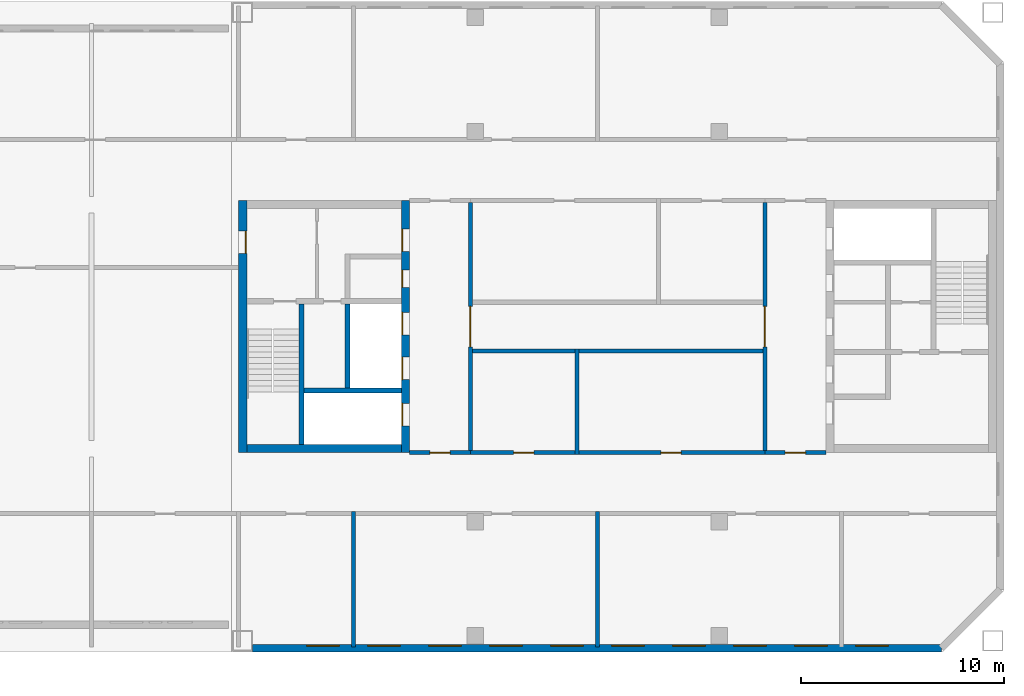
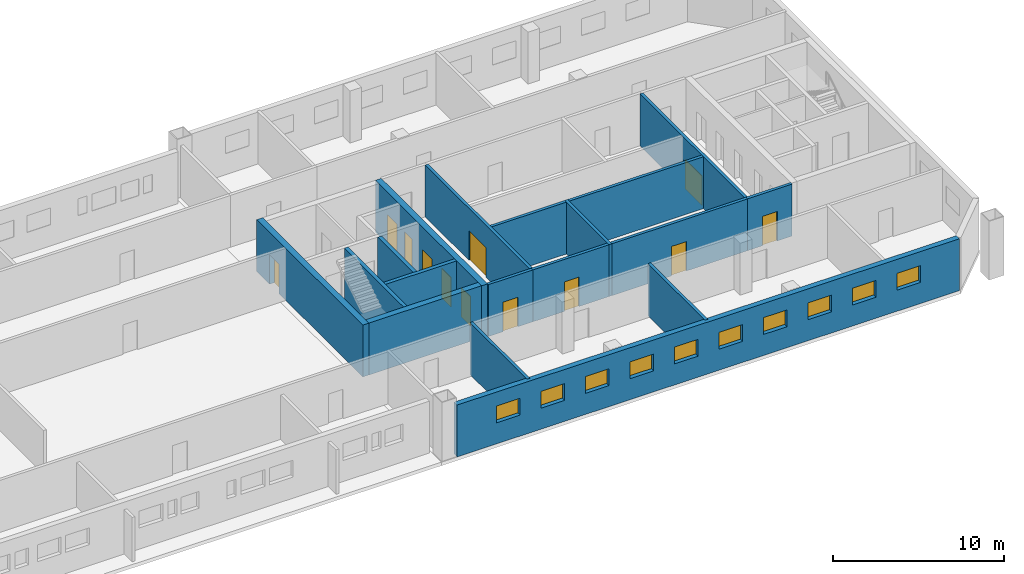
# One storey, part 9 of 13: 16 walls, 12 doors, 10 windows, 22 openings.
"""IFC4 building model written with IfcOpenShell, lengths in metres."""

from ifc_helpers import new_model, si_unit, direction, frame, frame_2d, origin, place, context, subcontext, project, spatial, rectangle, extrude, material, layer, layer_set, type_object, element, fill, save


model = new_model("IFC4")

# Units and contexts
model_context = context("Model", 3, precision=1e-05, world=origin(), true_north=direction((0.0, 1.0)))
body_context = subcontext(model_context, "Body", "Model", "MODEL_VIEW")
ifc_project = project(units=[si_unit("LENGTHUNIT", "METRE"), si_unit("AREAUNIT", "SQUARE_METRE"), si_unit("VOLUMEUNIT", "CUBIC_METRE"), si_unit("PLANEANGLEUNIT", "RADIAN"), si_unit("MASSUNIT", "GRAM", prefix="KILO")], contexts=[model_context])

# Site, building, storey
site_placement = place(None, origin())
site = spatial("IfcSite", under=ifc_project, at=site_placement, CompositionType="ELEMENT")
building_placement = place(site_placement, origin())
building = spatial("IfcBuilding", under=site, at=building_placement, Name="Tuart Gate Housing", CompositionType="ELEMENT")
storey_placement = place(building_placement, frame((0.0, 0.0, 198.60009765625)))
storey = spatial("IfcBuildingStorey", under=building, at=storey_placement, Name="L56", CompositionType="ELEMENT", Elevation=198.60009765625)

# Wall, openings, windows
ifc_material_1 = material(Name="Brick", Category="masonry")
ifc_layer_1 = layer(ifc_material_1, 0.360107421875)
ifc_layer_set_1 = layer_set([ifc_layer_1], Name="Brick pier and spandrel wall 360")
wall_type_1 = type_object("IfcWallType", Name="Brick pier and spandrel wall 360", PredefinedType="STANDARD", material=ifc_layer_set_1)
wall_1_placement = place(storey_placement, frame((132.050048828125, 54.179931640625, 0.0), z_axis=(0.0, 0.0, 1.0), x_axis=(1.0, 0.0, 0.0)))
wall_1 = element("IfcWall", 1, at=wall_1_placement, inside=storey, type_object=wall_type_1, Name="External wall BLK-S L56", PredefinedType="STANDARD", context=body_context, shape_type="SweptSolid", body=[
    extrude(rectangle(XDim=33.87548828125, YDim=0.360107421875, at=frame_2d((16.937744140625, 0.0))), origin(), (0.0, 0.0, 1.0), 3.699951171875),
])
opening_1_placement = place(wall_1_placement, frame((2.64990234375, 0.0, 1.5)))
opening_1 = element("IfcOpeningElement", 2, at=opening_1_placement, cuts=wall_1, Name="Opening W3", PredefinedType="OPENING", context=body_context, shape_type="SweptSolid", body=[
    extrude(rectangle(XDim=1.60009765625, YDim=1.199951171875, at=frame_2d((0.800048828125, 0.60009765625))), frame((0.0, 0.18994140625, 0.0), z_axis=(0.0, -1.0, 0.0), x_axis=(1.0, 0.0, 0.0)), (0.0, 0.0, 1.0), 0.380126953125),
])
opening_2_placement = place(wall_1_placement, frame((5.64990234375, 0.0, 1.5)))
opening_2 = element("IfcOpeningElement", 3, at=opening_2_placement, cuts=wall_1, Name="Opening W3", PredefinedType="OPENING", context=body_context, shape_type="SweptSolid", body=[
    extrude(rectangle(XDim=1.60009765625, YDim=1.199951171875, at=frame_2d((0.800048828125, 0.60009765625))), frame((0.0, 0.18994140625, 0.0), z_axis=(0.0, -1.0, 0.0), x_axis=(1.0, 0.0, 0.0)), (0.0, 0.0, 1.0), 0.380126953125),
])
opening_3_placement = place(wall_1_placement, frame((8.64990234375, 0.0, 1.5)))
opening_3 = element("IfcOpeningElement", 4, at=opening_3_placement, cuts=wall_1, Name="Opening W3", PredefinedType="OPENING", context=body_context, shape_type="SweptSolid", body=[
    extrude(rectangle(XDim=1.60009765625, YDim=1.199951171875, at=frame_2d((0.800048828125, 0.60009765625))), frame((0.0, 0.18994140625, 0.0), z_axis=(0.0, -1.0, 0.0), x_axis=(1.0, 0.0, 0.0)), (0.0, 0.0, 1.0), 0.380126953125),
])
opening_4_placement = place(wall_1_placement, frame((11.64990234375, 0.0, 1.5)))
opening_4 = element("IfcOpeningElement", 5, at=opening_4_placement, cuts=wall_1, Name="Opening W3", PredefinedType="OPENING", context=body_context, shape_type="SweptSolid", body=[
    extrude(rectangle(XDim=1.60009765625, YDim=1.199951171875, at=frame_2d((0.800048828125, 0.60009765625))), frame((0.0, 0.18994140625, 0.0), z_axis=(0.0, -1.0, 0.0), x_axis=(1.0, 0.0, 0.0)), (0.0, 0.0, 1.0), 0.380126953125),
])
opening_5_placement = place(wall_1_placement, frame((14.64990234375, 0.0, 1.5)))
opening_5 = element("IfcOpeningElement", 6, at=opening_5_placement, cuts=wall_1, Name="Opening W3", PredefinedType="OPENING", context=body_context, shape_type="SweptSolid", body=[
    extrude(rectangle(XDim=1.60009765625, YDim=1.199951171875, at=frame_2d((0.800048828125, 0.60009765625))), frame((0.0, 0.18994140625, 0.0), z_axis=(0.0, -1.0, 0.0), x_axis=(1.0, 0.0, 0.0)), (0.0, 0.0, 1.0), 0.380126953125),
])
opening_6_placement = place(wall_1_placement, frame((17.64990234375, 0.0, 1.5)))
opening_6 = element("IfcOpeningElement", 7, at=opening_6_placement, cuts=wall_1, Name="Opening W3", PredefinedType="OPENING", context=body_context, shape_type="SweptSolid", body=[
    extrude(rectangle(XDim=1.60009765625, YDim=1.199951171875, at=frame_2d((0.800048828125, 0.60009765625))), frame((0.0, 0.18994140625, 0.0), z_axis=(0.0, -1.0, 0.0), x_axis=(1.0, 0.0, 0.0)), (0.0, 0.0, 1.0), 0.380126953125),
])
opening_7_placement = place(wall_1_placement, frame((20.64990234375, 0.0, 1.5)))
opening_7 = element("IfcOpeningElement", 8, at=opening_7_placement, cuts=wall_1, Name="Opening W3", PredefinedType="OPENING", context=body_context, shape_type="SweptSolid", body=[
    extrude(rectangle(XDim=1.60009765625, YDim=1.199951171875, at=frame_2d((0.800048828125, 0.60009765625))), frame((0.0, 0.18994140625, 0.0), z_axis=(0.0, -1.0, 0.0), x_axis=(1.0, 0.0, 0.0)), (0.0, 0.0, 1.0), 0.380126953125),
])
opening_8_placement = place(wall_1_placement, frame((23.64990234375, 0.0, 1.5)))
opening_8 = element("IfcOpeningElement", 9, at=opening_8_placement, cuts=wall_1, Name="Opening W3", PredefinedType="OPENING", context=body_context, shape_type="SweptSolid", body=[
    extrude(rectangle(XDim=1.60009765625, YDim=1.199951171875, at=frame_2d((0.800048828125, 0.60009765625))), frame((0.0, 0.18994140625, 0.0), z_axis=(0.0, -1.0, 0.0), x_axis=(1.0, 0.0, 0.0)), (0.0, 0.0, 1.0), 0.380126953125),
])
opening_9_placement = place(wall_1_placement, frame((26.64990234375, 0.0, 1.5)))
opening_9 = element("IfcOpeningElement", 10, at=opening_9_placement, cuts=wall_1, Name="Opening W3", PredefinedType="OPENING", context=body_context, shape_type="SweptSolid", body=[
    extrude(rectangle(XDim=1.60009765625, YDim=1.199951171875, at=frame_2d((0.800048828125, 0.60009765625))), frame((0.0, 0.18994140625, 0.0), z_axis=(0.0, -1.0, 0.0), x_axis=(1.0, 0.0, 0.0)), (0.0, 0.0, 1.0), 0.380126953125),
])
opening_10_placement = place(wall_1_placement, frame((29.64990234375, 0.0, 1.5)))
opening_10 = element("IfcOpeningElement", 11, at=opening_10_placement, cuts=wall_1, Name="Opening W3", PredefinedType="OPENING", context=body_context, shape_type="SweptSolid", body=[
    extrude(rectangle(XDim=1.60009765625, YDim=1.199951171875, at=frame_2d((0.800048828125, 0.60009765625))), frame((0.0, 0.18994140625, 0.0), z_axis=(0.0, -1.0, 0.0), x_axis=(1.0, 0.0, 0.0)), (0.0, 0.0, 1.0), 0.380126953125),
])
ifc_material_2 = material(Name="Aluminium louvre blades", Category="aluminium")
window_type = type_object("IfcWindowType", Name="Louvre window 1600 x 1200", PartitioningType="DOUBLE_PANEL_HORIZONTAL", PredefinedType="WINDOW", material=ifc_material_2)
window_1_placement = place(opening_1_placement, origin())
window_1 = element("IfcWindow", 12, at=window_1_placement, inside=storey, type_object=window_type, Name="Louvre W3", OverallHeight=1.199951171875, OverallWidth=1.60009765625, PartitioningType="DOUBLE_PANEL_HORIZONTAL", PredefinedType="WINDOW", context=body_context, shape_type="SweptSolid", body=[
    extrude(rectangle(XDim=1.60009765625, YDim=1.199951171875, at=frame_2d((0.800048828125, 0.60009765625))), frame((0.0, 0.150146484375, 0.0), z_axis=(0.0, -1.0, 0.0), x_axis=(1.0, 0.0, 0.0)), (0.0, 0.0, 1.0), 0.06005859375),
])
fill(opening_1, window_1)
window_2_placement = place(opening_2_placement, origin())
window_2 = element("IfcWindow", 13, at=window_2_placement, inside=storey, type_object=window_type, Name="Louvre W3", OverallHeight=1.199951171875, OverallWidth=1.60009765625, PartitioningType="DOUBLE_PANEL_HORIZONTAL", PredefinedType="WINDOW", context=body_context, shape_type="SweptSolid", body=[
    extrude(rectangle(XDim=1.60009765625, YDim=1.199951171875, at=frame_2d((0.800048828125, 0.60009765625))), frame((0.0, 0.150146484375, 0.0), z_axis=(0.0, -1.0, 0.0), x_axis=(1.0, 0.0, 0.0)), (0.0, 0.0, 1.0), 0.06005859375),
])
fill(opening_2, window_2)
window_3_placement = place(opening_3_placement, origin())
window_3 = element("IfcWindow", 14, at=window_3_placement, inside=storey, type_object=window_type, Name="Louvre W3", OverallHeight=1.199951171875, OverallWidth=1.60009765625, PartitioningType="DOUBLE_PANEL_HORIZONTAL", PredefinedType="WINDOW", context=body_context, shape_type="SweptSolid", body=[
    extrude(rectangle(XDim=1.60009765625, YDim=1.199951171875, at=frame_2d((0.800048828125, 0.60009765625))), frame((0.0, 0.150146484375, 0.0), z_axis=(0.0, -1.0, 0.0), x_axis=(1.0, 0.0, 0.0)), (0.0, 0.0, 1.0), 0.06005859375),
])
fill(opening_3, window_3)
window_4_placement = place(opening_4_placement, origin())
window_4 = element("IfcWindow", 15, at=window_4_placement, inside=storey, type_object=window_type, Name="Louvre W3", OverallHeight=1.199951171875, OverallWidth=1.60009765625, PartitioningType="DOUBLE_PANEL_HORIZONTAL", PredefinedType="WINDOW", context=body_context, shape_type="SweptSolid", body=[
    extrude(rectangle(XDim=1.60009765625, YDim=1.199951171875, at=frame_2d((0.800048828125, 0.60009765625))), frame((0.0, 0.150146484375, 0.0), z_axis=(0.0, -1.0, 0.0), x_axis=(1.0, 0.0, 0.0)), (0.0, 0.0, 1.0), 0.06005859375),
])
fill(opening_4, window_4)
window_5_placement = place(opening_5_placement, origin())
window_5 = element("IfcWindow", 16, at=window_5_placement, inside=storey, type_object=window_type, Name="Louvre W3", OverallHeight=1.199951171875, OverallWidth=1.60009765625, PartitioningType="DOUBLE_PANEL_HORIZONTAL", PredefinedType="WINDOW", context=body_context, shape_type="SweptSolid", body=[
    extrude(rectangle(XDim=1.60009765625, YDim=1.199951171875, at=frame_2d((0.800048828125, 0.60009765625))), frame((0.0, 0.150146484375, 0.0), z_axis=(0.0, -1.0, 0.0), x_axis=(1.0, 0.0, 0.0)), (0.0, 0.0, 1.0), 0.06005859375),
])
fill(opening_5, window_5)
window_6_placement = place(opening_6_placement, origin())
window_6 = element("IfcWindow", 17, at=window_6_placement, inside=storey, type_object=window_type, Name="Louvre W3", OverallHeight=1.199951171875, OverallWidth=1.60009765625, PartitioningType="DOUBLE_PANEL_HORIZONTAL", PredefinedType="WINDOW", context=body_context, shape_type="SweptSolid", body=[
    extrude(rectangle(XDim=1.60009765625, YDim=1.199951171875, at=frame_2d((0.800048828125, 0.60009765625))), frame((0.0, 0.150146484375, 0.0), z_axis=(0.0, -1.0, 0.0), x_axis=(1.0, 0.0, 0.0)), (0.0, 0.0, 1.0), 0.06005859375),
])
fill(opening_6, window_6)
window_7_placement = place(opening_7_placement, origin())
window_7 = element("IfcWindow", 18, at=window_7_placement, inside=storey, type_object=window_type, Name="Louvre W3", OverallHeight=1.199951171875, OverallWidth=1.60009765625, PartitioningType="DOUBLE_PANEL_HORIZONTAL", PredefinedType="WINDOW", context=body_context, shape_type="SweptSolid", body=[
    extrude(rectangle(XDim=1.60009765625, YDim=1.199951171875, at=frame_2d((0.800048828125, 0.60009765625))), frame((0.0, 0.150146484375, 0.0), z_axis=(0.0, -1.0, 0.0), x_axis=(1.0, 0.0, 0.0)), (0.0, 0.0, 1.0), 0.06005859375),
])
fill(opening_7, window_7)
window_8_placement = place(opening_8_placement, origin())
window_8 = element("IfcWindow", 19, at=window_8_placement, inside=storey, type_object=window_type, Name="Louvre W3", OverallHeight=1.199951171875, OverallWidth=1.60009765625, PartitioningType="DOUBLE_PANEL_HORIZONTAL", PredefinedType="WINDOW", context=body_context, shape_type="SweptSolid", body=[
    extrude(rectangle(XDim=1.60009765625, YDim=1.199951171875, at=frame_2d((0.800048828125, 0.60009765625))), frame((0.0, 0.150146484375, 0.0), z_axis=(0.0, -1.0, 0.0), x_axis=(1.0, 0.0, 0.0)), (0.0, 0.0, 1.0), 0.06005859375),
])
fill(opening_8, window_8)
window_9_placement = place(opening_9_placement, origin())
window_9 = element("IfcWindow", 20, at=window_9_placement, inside=storey, type_object=window_type, Name="Louvre W3", OverallHeight=1.199951171875, OverallWidth=1.60009765625, PartitioningType="DOUBLE_PANEL_HORIZONTAL", PredefinedType="WINDOW", context=body_context, shape_type="SweptSolid", body=[
    extrude(rectangle(XDim=1.60009765625, YDim=1.199951171875, at=frame_2d((0.800048828125, 0.60009765625))), frame((0.0, 0.150146484375, 0.0), z_axis=(0.0, -1.0, 0.0), x_axis=(1.0, 0.0, 0.0)), (0.0, 0.0, 1.0), 0.06005859375),
])
fill(opening_9, window_9)
window_10_placement = place(opening_10_placement, origin())
window_10 = element("IfcWindow", 21, at=window_10_placement, inside=storey, type_object=window_type, Name="Louvre W3", OverallHeight=1.199951171875, OverallWidth=1.60009765625, PartitioningType="DOUBLE_PANEL_HORIZONTAL", PredefinedType="WINDOW", context=body_context, shape_type="SweptSolid", body=[
    extrude(rectangle(XDim=1.60009765625, YDim=1.199951171875, at=frame_2d((0.800048828125, 0.60009765625))), frame((0.0, 0.150146484375, 0.0), z_axis=(0.0, -1.0, 0.0), x_axis=(1.0, 0.0, 0.0)), (0.0, 0.0, 1.0), 0.06005859375),
])
fill(opening_10, window_10)

# Walls
ifc_material_3 = material(Name="Concrete C40", Category="concrete")
ifc_layer_2 = layer(ifc_material_3, 0.25)
ifc_layer_set_2 = layer_set([ifc_layer_2], Name="Core wall 250 C40")
wall_type_2 = type_object("IfcWallType", Name="Core wall 250 C40", PredefinedType="SHEAR", material=ifc_layer_set_2)
wall_2_placement = place(storey_placement, frame((139.360107421875, 66.85009765625, 0.0), z_axis=(0.0, 0.0, 1.0), x_axis=(-1.0, 0.0, 0.0)))
element("IfcWall", 22, at=wall_2_placement, inside=storey, type_object=wall_type_2, Name="Core wall BG.1", PredefinedType="SHEAR", context=body_context, shape_type="SweptSolid", body=[
    extrude(rectangle(XDim=4.775146484375, YDim=0.25, at=frame_2d((2.3876953125, 0.0))), origin(), (0.0, 0.0, 1.0), 3.699951171875),
])
wall_3_placement = place(storey_placement, frame((136.7099609375, 66.97509765625, 0.0), z_axis=(0.0, 0.0, 1.0), x_axis=(0.0, 1.0, 0.0)))
element("IfcWall", 23, at=wall_3_placement, inside=storey, type_object=wall_type_2, Name="Core wall BG.4", PredefinedType="SHEAR", context=body_context, shape_type="SweptSolid", body=[
    extrude(rectangle(XDim=4.14990234375, YDim=0.25, at=frame_2d((2.074951171875, 0.0))), origin(), (0.0, 0.0, 1.0), 3.699951171875),
])
wall_4_placement = place(storey_placement, frame((134.4599609375, 64.199951171875, 0.0), z_axis=(0.0, 0.0, 1.0), x_axis=(0.0, 1.0, 0.0)))
element("IfcWall", 24, at=wall_4_placement, inside=storey, type_object=wall_type_2, Name="Core wall BG.7", PredefinedType="SHEAR", context=body_context, shape_type="SweptSolid", body=[
    extrude(rectangle(XDim=6.925048828125, YDim=0.25, at=frame_2d((3.46240234375, 0.0))), origin(), (0.0, 0.0, 1.0), 3.699951171875),
])

# Wall, openings, doors
ifc_material_4 = material(Name="Concrete C40", Category="concrete")
ifc_layer_3 = layer(ifc_material_4, 0.39990234375)
ifc_layer_set_3 = layer_set([ifc_layer_3], Name="Core wall 400 C40")
wall_type_3 = type_object("IfcWallType", Name="Core wall 400 C40", PredefinedType="SHEAR", material=ifc_layer_set_3)
wall_5_placement = place(storey_placement, frame((139.56005859375, 63.800048828125, 0.0), z_axis=(0.0, 0.0, 1.0), x_axis=(0.0, 1.0, 0.0)))
wall_5 = element("IfcWall", 25, at=wall_5_placement, inside=storey, type_object=wall_type_3, Name="Core wall BG front", PredefinedType="SHEAR", context=body_context, shape_type="SweptSolid", body=[
    extrude(rectangle(XDim=12.39990234375, YDim=0.39990234375, at=frame_2d((6.199951171875, 0.0))), origin(), (0.0, 0.0, 1.0), 3.699951171875),
])
opening_11_placement = place(wall_5_placement, frame((1.324951171875, 0.0, 0.0)))
opening_11 = element("IfcOpeningElement", 26, at=opening_11_placement, cuts=wall_5, Name="Opening LD-FB1", PredefinedType="OPENING", context=body_context, shape_type="SweptSolid", body=[
    extrude(rectangle(XDim=1.10009765625, YDim=2.10009765625, at=frame_2d((0.550048828125, 1.050048828125))), frame((0.0, 0.2099609375, 0.0), z_axis=(0.0, -1.0, 0.0), x_axis=(1.0, 0.0, 0.0)), (0.0, 0.0, 1.0), 0.419921875),
])
opening_12_placement = place(wall_5_placement, frame((3.60009765625, 0.0, 0.0)))
opening_12 = element("IfcOpeningElement", 27, at=opening_12_placement, cuts=wall_5, Name="Opening LD-LB1", PredefinedType="OPENING", context=body_context, shape_type="SweptSolid", body=[
    extrude(rectangle(XDim=1.10009765625, YDim=2.10009765625, at=frame_2d((0.550048828125, 1.050048828125))), frame((0.0, 0.2099609375, 0.0), z_axis=(0.0, -1.0, 0.0), x_axis=(1.0, 0.0, 0.0)), (0.0, 0.0, 1.0), 0.419921875),
])
opening_13_placement = place(wall_5_placement, frame((5.800048828125, 0.0, 0.0)))
opening_13 = element("IfcOpeningElement", 28, at=opening_13_placement, cuts=wall_5, Name="Opening LD-LB2", PredefinedType="OPENING", context=body_context, shape_type="SweptSolid", body=[
    extrude(rectangle(XDim=1.10009765625, YDim=2.10009765625, at=frame_2d((0.550048828125, 1.050048828125))), frame((0.0, 0.2099609375, 0.0), z_axis=(0.0, -1.0, 0.0), x_axis=(1.0, 0.0, 0.0)), (0.0, 0.0, 1.0), 0.419921875),
])
opening_14_placement = place(wall_5_placement, frame((9.89990234375, 0.0, 0.0)))
opening_14 = element("IfcOpeningElement", 29, at=opening_14_placement, cuts=wall_5, Name="Opening D3622", PredefinedType="OPENING", context=body_context, shape_type="SweptSolid", body=[
    extrude(rectangle(XDim=1.10009765625, YDim=2.10009765625, at=frame_2d((0.550048828125, 1.050048828125))), frame((0.0, 0.2099609375, 0.0), z_axis=(0.0, -1.0, 0.0), x_axis=(1.0, 0.0, 0.0)), (0.0, 0.0, 1.0), 0.419921875),
])
opening_15_placement = place(wall_5_placement, frame((8.125, 0.0, 0.0)))
opening_15 = element("IfcOpeningElement", 30, at=opening_15_placement, cuts=wall_5, Name="Opening D3623", PredefinedType="OPENING", context=body_context, shape_type="SweptSolid", body=[
    extrude(rectangle(XDim=0.85009765625, YDim=2.10009765625, at=frame_2d((0.425048828125, 1.050048828125))), frame((0.0, 0.2099609375, 0.0), z_axis=(0.0, -1.0, 0.0), x_axis=(1.0, 0.0, 0.0)), (0.0, 0.0, 1.0), 0.419921875),
])
ifc_material_5 = material(Name="Stainless steel", Category="steel")
door_type_1 = type_object("IfcDoorType", Name="Landing door 1100 x 2100", OperationType="DOUBLE_DOOR_SLIDING", PredefinedType="DOOR", material=ifc_material_5)
door_1_placement = place(opening_11_placement, origin())
door_1 = element("IfcDoor", 31, at=door_1_placement, inside=storey, type_object=door_type_1, Name="Lift landing door FB1", OperationType="DOUBLE_DOOR_SLIDING", OverallHeight=2.10009765625, OverallWidth=1.10009765625, PredefinedType="DOOR", context=body_context, shape_type="SweptSolid", body=[
    extrude(rectangle(XDim=1.10009765625, YDim=2.10009765625, at=frame_2d((0.550048828125, 1.050048828125))), frame((0.0, 0.18505859375, 0.0), z_axis=(0.0, -1.0, 0.0), x_axis=(1.0, 0.0, 0.0)), (0.0, 0.0, 1.0), 0.050048828125),
])
fill(opening_11, door_1)
door_2_placement = place(opening_12_placement, origin())
door_2 = element("IfcDoor", 32, at=door_2_placement, inside=storey, type_object=door_type_1, Name="Lift landing door LB1", OperationType="DOUBLE_DOOR_SLIDING", OverallHeight=2.10009765625, OverallWidth=1.10009765625, PredefinedType="DOOR", context=body_context, shape_type="SweptSolid", body=[
    extrude(rectangle(XDim=1.10009765625, YDim=2.10009765625, at=frame_2d((0.550048828125, 1.050048828125))), frame((0.0, 0.18505859375, 0.0), z_axis=(0.0, -1.0, 0.0), x_axis=(1.0, 0.0, 0.0)), (0.0, 0.0, 1.0), 0.050048828125),
])
fill(opening_12, door_2)
door_3_placement = place(opening_13_placement, origin())
door_3 = element("IfcDoor", 33, at=door_3_placement, inside=storey, type_object=door_type_1, Name="Lift landing door LB2", OperationType="DOUBLE_DOOR_SLIDING", OverallHeight=2.10009765625, OverallWidth=1.10009765625, PredefinedType="DOOR", context=body_context, shape_type="SweptSolid", body=[
    extrude(rectangle(XDim=1.10009765625, YDim=2.10009765625, at=frame_2d((0.550048828125, 1.050048828125))), frame((0.0, 0.18505859375, 0.0), z_axis=(0.0, -1.0, 0.0), x_axis=(1.0, 0.0, 0.0)), (0.0, 0.0, 1.0), 0.050048828125),
])
fill(opening_13, door_3)
ifc_material_6 = material(Name="Steel fire door", Category="steel")
door_type_2 = type_object("IfcDoorType", Name="Lobby door 1100 x 2100", OperationType="SINGLE_SWING_LEFT", PredefinedType="DOOR", material=ifc_material_6)
door_4_placement = place(opening_14_placement, origin())
door_4 = element("IfcDoor", 34, at=door_4_placement, inside=storey, type_object=door_type_2, Name="Lobby entry door BG.EN", OperationType="SINGLE_SWING_LEFT", OverallHeight=2.10009765625, OverallWidth=1.10009765625, PredefinedType="DOOR", context=body_context, shape_type="SweptSolid", body=[
    extrude(rectangle(XDim=1.10009765625, YDim=2.10009765625, at=frame_2d((0.550048828125, 1.050048828125))), frame((0.0, 0.18505859375, 0.0), z_axis=(0.0, -1.0, 0.0), x_axis=(1.0, 0.0, 0.0)), (0.0, 0.0, 1.0), 0.050048828125),
])
fill(opening_14, door_4)
ifc_material_7 = material(Name="Steel fire door", Category="steel")
door_type_3 = type_object("IfcDoorType", Name="Service door 850 x 2100", OperationType="SINGLE_SWING_LEFT", PredefinedType="DOOR", material=ifc_material_7)
door_5_placement = place(opening_15_placement, origin())
door_5 = element("IfcDoor", 35, at=door_5_placement, inside=storey, type_object=door_type_3, Name="Service room door BG.T1", OperationType="SINGLE_SWING_LEFT", OverallHeight=2.10009765625, OverallWidth=0.85009765625, PredefinedType="DOOR", context=body_context, shape_type="SweptSolid", body=[
    extrude(rectangle(XDim=0.85009765625, YDim=2.10009765625, at=frame_2d((0.425048828125, 1.050048828125))), frame((0.0, 0.18505859375, 0.0), z_axis=(0.0, -1.0, 0.0), x_axis=(1.0, 0.0, 0.0)), (0.0, 0.0, 1.0), 0.050048828125),
])
fill(opening_15, door_5)

# Wall, opening, door
wall_6_placement = place(storey_placement, frame((131.56005859375, 63.800048828125, 0.0), z_axis=(0.0, 0.0, 1.0), x_axis=(0.0, 1.0, 0.0)))
wall_6 = element("IfcWall", 36, at=wall_6_placement, inside=storey, type_object=wall_type_3, Name="Core wall BG back", PredefinedType="SHEAR", context=body_context, shape_type="SweptSolid", body=[
    extrude(rectangle(XDim=12.39990234375, YDim=0.39990234375, at=frame_2d((6.199951171875, 0.0))), origin(), (0.0, 0.0, 1.0), 3.699951171875),
])
opening_16_placement = place(wall_6_placement, frame((9.800048828125, 0.0, 0.0)))
opening_16 = element("IfcOpeningElement", 37, at=opening_16_placement, cuts=wall_6, Name="Opening D3621", PredefinedType="OPENING", context=body_context, shape_type="SweptSolid", body=[
    extrude(rectangle(XDim=1.10009765625, YDim=2.10009765625, at=frame_2d((0.550048828125, 1.050048828125))), frame((0.0, 0.2099609375, 0.0), z_axis=(0.0, -1.0, 0.0), x_axis=(1.0, 0.0, 0.0)), (0.0, 0.0, 1.0), 0.419921875),
])
door_6_placement = place(opening_16_placement, frame((1.10009765625, 0.0, 0.0), z_axis=(0.0, 0.0, 1.0), x_axis=(-1.0, 0.0, 0.0)))
door_6 = element("IfcDoor", 38, at=door_6_placement, inside=storey, type_object=door_type_2, Name="Link door BG.LK", OperationType="SINGLE_SWING_LEFT", OverallHeight=2.10009765625, OverallWidth=1.10009765625, PredefinedType="DOOR", context=body_context, shape_type="SweptSolid", body=[
    extrude(rectangle(XDim=1.10009765625, YDim=2.10009765625, at=frame_2d((0.550048828125, 1.050048828125))), frame((0.0, 0.184814453125, 0.0), z_axis=(0.0, -1.0, 0.0), x_axis=(1.0, 0.0, 0.0)), (0.0, 0.0, 1.0), 0.050048828125),
])
fill(opening_16, door_6)

# Wall
wall_7_placement = place(storey_placement, frame((139.360107421875, 64.0, 0.0), z_axis=(0.0, 0.0, 1.0), x_axis=(-1.0, 0.0, 0.0)))
element("IfcWall", 39, at=wall_7_placement, inside=storey, type_object=wall_type_3, Name="Core wall BG south", PredefinedType="SHEAR", context=body_context, shape_type="SweptSolid", body=[
    extrude(rectangle(XDim=7.60009765625, YDim=0.39990234375, at=frame_2d((3.800048828125, 0.0))), origin(), (0.0, 0.0, 1.0), 3.699951171875),
])

# Wall, openings, doors
ifc_material_8 = material(Name="Concrete masonry 15 MPa", Category="masonry")
ifc_layer_4 = layer(ifc_material_8, 0.199951171875)
ifc_layer_set_4 = layer_set([ifc_layer_4], Name="Enclosure wall masonry 200")
wall_type_4 = type_object("IfcWallType", Name="Enclosure wall masonry 200", PredefinedType="PARTITIONING", material=ifc_layer_set_4)
wall_8_placement = place(storey_placement, frame((142.760009765625, 63.800048828125, 0.0), z_axis=(0.0, 0.0, 1.0), x_axis=(1.0, 0.0, 0.0)))
wall_8 = element("IfcWall", 40, at=wall_8_placement, inside=storey, type_object=wall_type_4, Name="Enclosure wall masonry 200", PredefinedType="PARTITIONING", context=body_context, shape_type="SweptSolid", body=[
    extrude(rectangle(XDim=14.47998046875, YDim=0.199951171875, at=frame_2d((7.239990234375, 0.0))), origin(), (0.0, 0.0, 1.0), 3.699951171875),
])
opening_17_placement = place(wall_8_placement, frame((2.1201171875, 0.0, 0.0)))
opening_17 = element("IfcOpeningElement", 41, at=opening_17_placement, cuts=wall_8, Name="Opening D3633", PredefinedType="OPENING", context=body_context, shape_type="SweptSolid", body=[
    extrude(rectangle(XDim=1.0, YDim=2.10009765625, at=frame_2d((0.5, 1.050048828125))), frame((0.0, 0.10986328125, 0.0), z_axis=(0.0, -1.0, 0.0), x_axis=(1.0, 0.0, 0.0)), (0.0, 0.0, 1.0), 0.219970703125),
])
opening_18_placement = place(wall_8_placement, frame((9.360107421875, 0.0, 0.0)))
opening_18 = element("IfcOpeningElement", 42, at=opening_18_placement, cuts=wall_8, Name="Opening D3634", PredefinedType="OPENING", context=body_context, shape_type="SweptSolid", body=[
    extrude(rectangle(XDim=1.0, YDim=2.10009765625, at=frame_2d((0.5, 1.050048828125))), frame((0.0, 0.10986328125, 0.0), z_axis=(0.0, -1.0, 0.0), x_axis=(1.0, 0.0, 0.0)), (0.0, 0.0, 1.0), 0.219970703125),
])
ifc_material_9 = material(Name="Timber door leaf in steel frame", Category="steel")
door_type_4 = type_object("IfcDoorType", Name="Fire door 1000", OperationType="SINGLE_SWING_LEFT", PredefinedType="DOOR", material=ifc_material_9)
door_7_placement = place(opening_17_placement, origin())
door_7 = element("IfcDoor", 43, at=door_7_placement, inside=storey, type_object=door_type_4, Name="Fire door 1000", OperationType="SINGLE_SWING_LEFT", OverallHeight=2.10009765625, OverallWidth=1.0, PredefinedType="DOOR", context=body_context, shape_type="SweptSolid", body=[
    extrude(rectangle(XDim=1.0, YDim=2.10009765625, at=frame_2d((0.5, 1.050048828125))), frame((0.0, 0.02490234375, 0.0), z_axis=(0.0, -1.0, 0.0), x_axis=(1.0, 0.0, 0.0)), (0.0, 0.0, 1.0), 0.050048828125),
])
fill(opening_17, door_7)
door_8_placement = place(opening_18_placement, origin())
door_8 = element("IfcDoor", 44, at=door_8_placement, inside=storey, type_object=door_type_4, Name="Fire door 1000", OperationType="SINGLE_SWING_LEFT", OverallHeight=2.10009765625, OverallWidth=1.0, PredefinedType="DOOR", context=body_context, shape_type="SweptSolid", body=[
    extrude(rectangle(XDim=1.0, YDim=2.10009765625, at=frame_2d((0.5, 1.050048828125))), frame((0.0, 0.02490234375, 0.0), z_axis=(0.0, -1.0, 0.0), x_axis=(1.0, 0.0, 0.0)), (0.0, 0.0, 1.0), 0.050048828125),
])
fill(opening_18, door_8)

# Wall, opening, door
wall_9_placement = place(storey_placement, frame((139.760009765625, 63.800048828125, 0.0), z_axis=(0.0, 0.0, 1.0), x_axis=(1.0, 0.0, 0.0)))
wall_9 = element("IfcWall", 45, at=wall_9_placement, inside=storey, type_object=wall_type_4, Name="Enclosure wall masonry 200", PredefinedType="PARTITIONING", context=body_context, shape_type="SweptSolid", body=[
    extrude(rectangle(XDim=3.0, YDim=0.199951171875, at=frame_2d((1.5, 0.0))), origin(), (0.0, 0.0, 1.0), 3.699951171875),
])
opening_19_placement = place(wall_9_placement, frame((1.0, 0.0, 0.0)))
opening_19 = element("IfcOpeningElement", 46, at=opening_19_placement, cuts=wall_9, Name="Opening D3632", PredefinedType="OPENING", context=body_context, shape_type="SweptSolid", body=[
    extrude(rectangle(XDim=1.0, YDim=2.10009765625, at=frame_2d((0.5, 1.050048828125))), frame((0.0, 0.10986328125, 0.0), z_axis=(0.0, -1.0, 0.0), x_axis=(1.0, 0.0, 0.0)), (0.0, 0.0, 1.0), 0.219970703125),
])
ifc_material_10 = material(Name="Timber door leaf in steel frame", Category="steel")
door_type_5 = type_object("IfcDoorType", Name="Lobby door 1000 RH", OperationType="SINGLE_SWING_RIGHT", PredefinedType="DOOR", material=ifc_material_10)
door_9_placement = place(opening_19_placement, origin())
door_9 = element("IfcDoor", 47, at=door_9_placement, inside=storey, type_object=door_type_5, Name="Lobby door 1000", OperationType="SINGLE_SWING_RIGHT", OverallHeight=2.10009765625, OverallWidth=1.0, PredefinedType="DOOR", context=body_context, shape_type="SweptSolid", body=[
    extrude(rectangle(XDim=1.0, YDim=2.10009765625, at=frame_2d((0.5, 1.050048828125))), frame((0.0, 0.02490234375, 0.0), z_axis=(0.0, -1.0, 0.0), x_axis=(1.0, 0.0, 0.0)), (0.0, 0.0, 1.0), 0.050048828125),
])
fill(opening_19, door_9)

wall_10_placement = place(storey_placement, frame((157.239990234375, 63.800048828125, 0.0), z_axis=(0.0, 0.0, 1.0), x_axis=(1.0, 0.0, 0.0)))
wall_10 = element("IfcWall", 48, at=wall_10_placement, inside=storey, type_object=wall_type_4, Name="Enclosure wall masonry 200", PredefinedType="PARTITIONING", context=body_context, shape_type="SweptSolid", body=[
    extrude(rectangle(XDim=3.0, YDim=0.199951171875, at=frame_2d((1.5, 0.0))), origin(), (0.0, 0.0, 1.0), 3.699951171875),
])
opening_20_placement = place(wall_10_placement, frame((1.0, 0.0, 0.0)))
opening_20 = element("IfcOpeningElement", 49, at=opening_20_placement, cuts=wall_10, Name="Opening D3635", PredefinedType="OPENING", context=body_context, shape_type="SweptSolid", body=[
    extrude(rectangle(XDim=1.0, YDim=2.10009765625, at=frame_2d((0.5, 1.050048828125))), frame((0.0, 0.10986328125, 0.0), z_axis=(0.0, -1.0, 0.0), x_axis=(1.0, 0.0, 0.0)), (0.0, 0.0, 1.0), 0.219970703125),
])
ifc_material_11 = material(Name="Timber door leaf in steel frame", Category="steel")
door_type_6 = type_object("IfcDoorType", Name="Lobby door 1000", OperationType="SINGLE_SWING_LEFT", PredefinedType="DOOR", material=ifc_material_11)
door_10_placement = place(opening_20_placement, origin())
door_10 = element("IfcDoor", 50, at=door_10_placement, inside=storey, type_object=door_type_6, Name="Lobby door 1000", OperationType="SINGLE_SWING_LEFT", OverallHeight=2.10009765625, OverallWidth=1.0, PredefinedType="DOOR", context=body_context, shape_type="SweptSolid", body=[
    extrude(rectangle(XDim=1.0, YDim=2.10009765625, at=frame_2d((0.5, 1.050048828125))), frame((0.0, 0.02490234375, 0.0), z_axis=(0.0, -1.0, 0.0), x_axis=(1.0, 0.0, 0.0)), (0.0, 0.0, 1.0), 0.050048828125),
])
fill(opening_20, door_10)

# Walls
wall_11_placement = place(storey_placement, frame((142.760009765625, 68.800048828125, 0.0), z_axis=(0.0, 0.0, 1.0), x_axis=(1.0, 0.0, 0.0)))
element("IfcWall", 51, at=wall_11_placement, inside=storey, type_object=wall_type_4, Name="Enclosure wall masonry 200", PredefinedType="PARTITIONING", context=body_context, shape_type="SweptSolid", body=[
    extrude(rectangle(XDim=14.47998046875, YDim=0.199951171875, at=frame_2d((7.239990234375, 0.0))), origin(), (0.0, 0.0, 1.0), 3.699951171875),
])
wall_12_placement = place(storey_placement, frame((137.0, 54.239990234375, 0.0), z_axis=(0.0, 0.0, 1.0), x_axis=(0.0, 1.0, 0.0)))
element("IfcWall", 52, at=wall_12_placement, inside=storey, type_object=wall_type_4, Name="Enclosure wall masonry 200", PredefinedType="PARTITIONING", context=body_context, shape_type="SweptSolid", body=[
    extrude(rectangle(XDim=6.659912109375, YDim=0.199951171875, at=frame_2d((3.330078125, 0.0))), origin(), (0.0, 0.0, 1.0), 3.699951171875),
])
wall_13_placement = place(storey_placement, frame((148.0, 63.699951171875, 0.0), z_axis=(0.0, 0.0, 1.0), x_axis=(0.0, 1.0, 0.0)))
element("IfcWall", 53, at=wall_13_placement, inside=storey, type_object=wall_type_4, Name="Enclosure wall masonry 200", PredefinedType="PARTITIONING", context=body_context, shape_type="SweptSolid", body=[
    extrude(rectangle(XDim=5.199951171875, YDim=0.199951171875, at=frame_2d((2.60009765625, 0.0))), origin(), (0.0, 0.0, 1.0), 3.699951171875),
])
wall_14_placement = place(storey_placement, frame((149.0, 54.239990234375, 0.0), z_axis=(0.0, 0.0, 1.0), x_axis=(0.0, 1.0, 0.0)))
element("IfcWall", 54, at=wall_14_placement, inside=storey, type_object=wall_type_4, Name="Enclosure wall masonry 200", PredefinedType="PARTITIONING", context=body_context, shape_type="SweptSolid", body=[
    extrude(rectangle(XDim=6.659912109375, YDim=0.199951171875, at=frame_2d((3.330078125, 0.0))), origin(), (0.0, 0.0, 1.0), 3.699951171875),
])

# Wall, opening, door
ifc_material_12 = material(Name="Plasterboard partition")
ifc_layer_5 = layer(ifc_material_12, 0.199951171875)
ifc_layer_set_5 = layer_set([ifc_layer_5], Name="Lobby wall 200")
wall_type_5 = type_object("IfcWallType", Name="Lobby wall 200", PredefinedType="PARTITIONING", material=ifc_layer_set_5)
wall_15_placement = place(storey_placement, frame((142.760009765625, 63.89990234375, 0.0), z_axis=(0.0, 0.0, 1.0), x_axis=(0.0, 1.0, 0.0)))
wall_15 = element("IfcWall", 55, at=wall_15_placement, inside=storey, type_object=wall_type_5, Name="Lift lobby wall BG", PredefinedType="PARTITIONING", context=body_context, shape_type="SweptSolid", body=[
    extrude(rectangle(XDim=12.2001953125, YDim=0.199951171875, at=frame_2d((6.10009765625, 0.0))), origin(), (0.0, 0.0, 1.0), 3.699951171875),
])
opening_21_placement = place(wall_15_placement, frame((5.10009765625, 0.0, 0.0)))
opening_21 = element("IfcOpeningElement", 56, at=opening_21_placement, cuts=wall_15, Name="Opening D3624", PredefinedType="OPENING", context=body_context, shape_type="SweptSolid", body=[
    extrude(rectangle(XDim=2.0, YDim=2.10009765625, at=frame_2d((1.0, 1.050048828125))), frame((0.0, 0.10986328125, 0.0), z_axis=(0.0, -1.0, 0.0), x_axis=(1.0, 0.0, 0.0)), (0.0, 0.0, 1.0), 0.219970703125),
])
ifc_material_13 = material(Name="Steel fire door", Category="steel")
door_type_7 = type_object("IfcDoorType", Name="Smoke door 2000 x 2100", OperationType="DOUBLE_DOOR_SINGLE_SWING", PredefinedType="DOOR", material=ifc_material_13)
door_11_placement = place(opening_21_placement, origin())
door_11 = element("IfcDoor", 57, at=door_11_placement, inside=storey, type_object=door_type_7, Name="Lift lobby smoke door BG", OperationType="DOUBLE_DOOR_SINGLE_SWING", OverallHeight=2.10009765625, OverallWidth=2.0, PredefinedType="DOOR", context=body_context, shape_type="SweptSolid", body=[
    extrude(rectangle(XDim=2.0, YDim=2.10009765625, at=frame_2d((1.0, 1.050048828125))), frame((0.0, 0.02490234375, 0.0), z_axis=(0.0, -1.0, 0.0), x_axis=(1.0, 0.0, 0.0)), (0.0, 0.0, 1.0), 0.050048828125),
])
fill(opening_21, door_11)

wall_16_placement = place(storey_placement, frame((157.239990234375, 63.89990234375, 0.0), z_axis=(0.0, 0.0, 1.0), x_axis=(0.0, 1.0, 0.0)))
wall_16 = element("IfcWall", 58, at=wall_16_placement, inside=storey, type_object=wall_type_5, Name="Lift lobby wall BK", PredefinedType="PARTITIONING", context=body_context, shape_type="SweptSolid", body=[
    extrude(rectangle(XDim=12.2001953125, YDim=0.199951171875, at=frame_2d((6.10009765625, 0.0))), origin(), (0.0, 0.0, 1.0), 3.699951171875),
])
opening_22_placement = place(wall_16_placement, frame((5.10009765625, 0.0, 0.0)))
opening_22 = element("IfcOpeningElement", 59, at=opening_22_placement, cuts=wall_16, Name="Opening D3625", PredefinedType="OPENING", context=body_context, shape_type="SweptSolid", body=[
    extrude(rectangle(XDim=2.0, YDim=2.10009765625, at=frame_2d((1.0, 1.050048828125))), frame((0.0, 0.10986328125, 0.0), z_axis=(0.0, -1.0, 0.0), x_axis=(1.0, 0.0, 0.0)), (0.0, 0.0, 1.0), 0.219970703125),
])
door_12_placement = place(opening_22_placement, frame((2.0, 0.0, 0.0), z_axis=(0.0, 0.0, 1.0), x_axis=(-1.0, 0.0, 0.0)))
door_12 = element("IfcDoor", 60, at=door_12_placement, inside=storey, type_object=door_type_7, Name="Lift lobby smoke door BK", OperationType="DOUBLE_DOOR_SINGLE_SWING", OverallHeight=2.10009765625, OverallWidth=2.0, PredefinedType="DOOR", context=body_context, shape_type="SweptSolid", body=[
    extrude(rectangle(XDim=2.0, YDim=2.10009765625, at=frame_2d((1.0, 1.050048828125))), frame((0.0, 0.025146484375, 0.0), z_axis=(0.0, -1.0, 0.0), x_axis=(1.0, 0.0, 0.0)), (0.0, 0.0, 1.0), 0.050048828125),
])
fill(opening_22, door_12)

save(model, "model.ifc")
